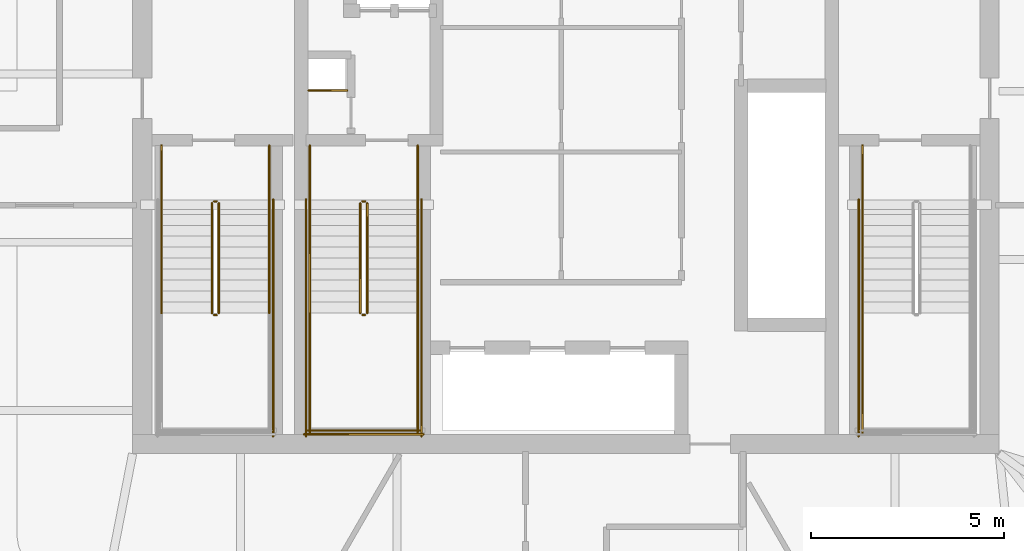
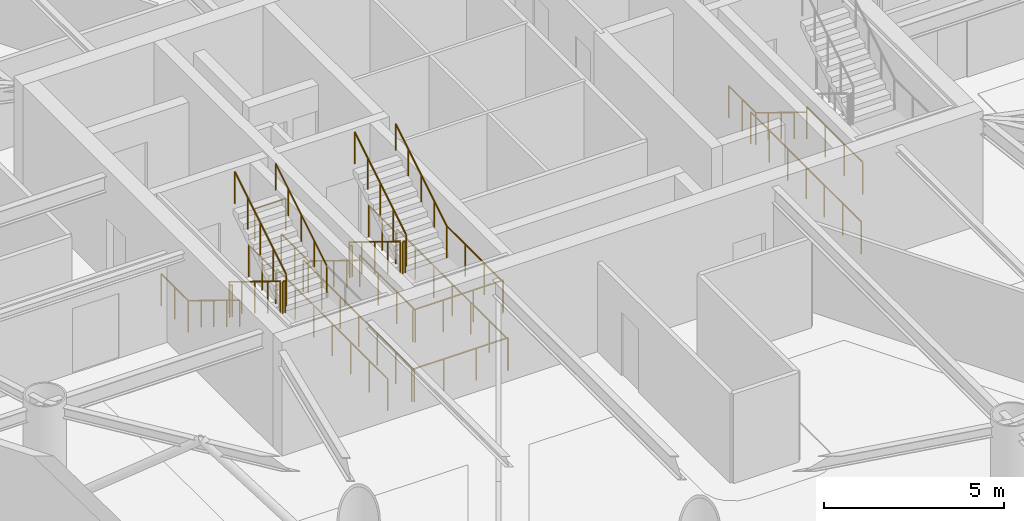
# One storey, part 18 of 20: 28 railings.
"""IFC4 building model written with IfcOpenShell, lengths in metres."""

from ifc_helpers import new_model, si_unit, direction, frame, origin, origin_2d, place, context, subcontext, project, spatial, circle, extrude, material, type_object, element, save


model = new_model("IFC4")

# Units and contexts
model_context = context("Model", 3, precision=1e-05, world=origin(), true_north=direction((0.0, 1.0)))
body_context = subcontext(model_context, "Body", "Model", "MODEL_VIEW")
ifc_project = project(units=[si_unit("LENGTHUNIT", "METRE"), si_unit("AREAUNIT", "SQUARE_METRE"), si_unit("VOLUMEUNIT", "CUBIC_METRE"), si_unit("PLANEANGLEUNIT", "RADIAN"), si_unit("MASSUNIT", "GRAM", prefix="KILO")], contexts=[model_context])

# Site, building, storey
site_placement = place(None, origin())
site = spatial("IfcSite", under=ifc_project, at=site_placement, CompositionType="ELEMENT")
building_placement = place(site_placement, origin())
building = spatial("IfcBuilding", under=site, at=building_placement, Name="Bramvorn Convention Spire", CompositionType="ELEMENT")
storey_placement = place(building_placement, frame((0.0, 0.0, 178.89990234375)))
storey = spatial("IfcBuildingStorey", under=building, at=storey_placement, Name="L45", CompositionType="ELEMENT", Elevation=178.89990234375)

# Railings
ifc_material_1 = material(Name="Painted Steel Balustrade & Guardrail", Category="steel")
railing_type_1 = type_object("IfcRailingType", Name="RL-STAIR-GUARD-1100", PredefinedType="GUARDRAIL", material=ifc_material_1)
railing_1_placement = place(storey_placement, frame((28.81005859375, 25.050048828125, 0.175048828125)))
element("IfcRailing", 1, at=railing_1_placement, inside=storey, type_object=railing_type_1, Name="L45 ST1 stair guard 1", PredefinedType="GUARDRAIL", context=body_context, shape_type="SweptSolid", body=[
    extrude(circle(Radius=0.02392578125, at=origin_2d()), frame((0.0, 0.0, 1.076171875), z_axis=(0.0, -0.852179220489, 0.52325001306), x_axis=(1.0, 0.0, 0.0)), (0.0, 0.0, 1.0), 3.344482421875),
    extrude(circle(Radius=0.02099609375, at=origin_2d()), origin(), (0.0, 0.0, 1.0), 1.052001953125),
    extrude(circle(Radius=0.02099609375, at=origin_2d()), frame((0.0, -0.71240234375, 0.4375)), (0.0, 0.0, 1.0), 1.052001953125),
    extrude(circle(Radius=0.02099609375, at=origin_2d()), frame((0.0, -1.425048828125, 0.875)), (0.0, 0.0, 1.0), 1.052001953125),
    extrude(circle(Radius=0.02099609375, at=origin_2d()), frame((0.0, -2.1376953125, 1.3125)), (0.0, 0.0, 1.0), 1.052001953125),
    extrude(circle(Radius=0.02099609375, at=origin_2d()), frame((0.0, -2.85009765625, 1.75)), (0.0, 0.0, 1.0), 1.052001953125),
])
railing_2_placement = place(storey_placement, frame((28.860107421875, 22.14990234375, 1.925048828125)))
element("IfcRailing", 2, at=railing_2_placement, inside=storey, type_object=railing_type_1, Name="L45 ST1 stair guard 2", PredefinedType="GUARDRAIL", context=body_context, shape_type="SweptSolid", body=[
    extrude(circle(Radius=0.02392578125, at=origin_2d()), frame((0.0, 0.0, 1.076171875), z_axis=(1.0, 0.0, 0.0), x_axis=(0.0, 1.0, 0.0)), (0.0, 0.0, 1.0), 0.079833984375),
    extrude(circle(Radius=0.02099609375, at=origin_2d()), origin(), (0.0, 0.0, 1.0), 1.052001953125),
    extrude(circle(Radius=0.02099609375, at=origin_2d()), frame((0.079833984375, 0.0, 0.0)), (0.0, 0.0, 1.0), 1.052001953125),
])
railing_3_placement = place(storey_placement, frame((28.989990234375, 22.199951171875, 2.10009765625)))
element("IfcRailing", 3, at=railing_3_placement, inside=storey, type_object=railing_type_1, Name="L45 ST1 stair guard 6", PredefinedType="GUARDRAIL", context=body_context, shape_type="SweptSolid", body=[
    extrude(circle(Radius=0.02392578125, at=origin_2d()), frame((0.0, 0.0, 1.076171875), z_axis=(0.0, 0.852179220489, 0.52325001306), x_axis=(-1.0, 0.0, 0.0)), (0.0, 0.0, 1.0), 3.344482421875),
    extrude(circle(Radius=0.02099609375, at=origin_2d()), origin(), (0.0, 0.0, 1.0), 1.052001953125),
    extrude(circle(Radius=0.02099609375, at=origin_2d()), frame((0.0, 0.71240234375, 0.4375)), (0.0, 0.0, 1.0), 1.052001953125),
    extrude(circle(Radius=0.02099609375, at=origin_2d()), frame((0.0, 1.425048828125, 0.875)), (0.0, 0.0, 1.0), 1.052001953125),
    extrude(circle(Radius=0.02099609375, at=origin_2d()), frame((0.0, 2.1376953125, 1.3125)), (0.0, 0.0, 1.0), 1.052001953125),
    extrude(circle(Radius=0.02099609375, at=origin_2d()), frame((0.0, 2.85009765625, 1.75)), (0.0, 0.0, 1.0), 1.052001953125),
])
railing_4_placement = place(storey_placement, frame((28.860107421875, 25.10009765625, 0.0)))
element("IfcRailing", 4, at=railing_4_placement, inside=storey, type_object=railing_type_1, Name="L45 ST1 stair guard 7", PredefinedType="GUARDRAIL", context=body_context, shape_type="SweptSolid", body=[
    extrude(circle(Radius=0.02392578125, at=origin_2d()), frame((0.0, 0.0, 1.076171875), z_axis=(1.0, 0.0, 0.0), x_axis=(0.0, 1.0, 0.0)), (0.0, 0.0, 1.0), 0.079833984375),
    extrude(circle(Radius=0.02099609375, at=origin_2d()), origin(), (0.0, 0.0, 1.0), 1.052001953125),
    extrude(circle(Radius=0.02099609375, at=origin_2d()), frame((0.079833984375, 0.0, 0.0)), (0.0, 0.0, 1.0), 1.052001953125),
])
for number, where, name in (
    (5, (27.5, 26.550048828125, 0.0), "L45 ST1 stair guard 8"),
    (6, (30.300048828125, 26.550048828125, 0.0), "L45 ST1 stair guard 9"),
):
    element("IfcRailing", number, at=place(storey_placement, frame(where)), inside=storey, type_object=railing_type_1, Name=name, PredefinedType="GUARDRAIL", context=body_context, shape_type="SweptSolid", body=[
        extrude(circle(Radius=0.02392578125, at=origin_2d()), frame((0.0, 0.0, 1.076171875), z_axis=(0.0, -1.0, 0.0), x_axis=(1.0, 0.0, 0.0)), (0.0, 0.0, 1.0), 1.5),
        extrude(circle(Radius=0.02099609375, at=origin_2d()), origin(), (0.0, 0.0, 1.0), 1.052001953125),
        extrude(circle(Radius=0.02099609375, at=origin_2d()), frame((0.0, -0.75, 0.0)), (0.0, 0.0, 1.0), 1.052001953125),
        extrude(circle(Radius=0.02099609375, at=origin_2d()), frame((0.0, -1.5, 0.0)), (0.0, 0.0, 1.0), 1.052001953125),
    ])
railing_5_placement = place(storey_placement, frame((30.39990234375, 25.14990234375, 0.0)))
element("IfcRailing", 7, at=railing_5_placement, inside=storey, type_object=railing_type_1, Name="L45 ST1 stair guard 11", PredefinedType="GUARDRAIL", context=body_context, shape_type="SweptSolid", body=[
    extrude(circle(Radius=0.02392578125, at=origin_2d()), frame((0.0, 0.0, 1.076171875), z_axis=(0.0, -1.0, 0.0), x_axis=(1.0, 0.0, 0.0)), (0.0, 0.0, 1.0), 6.14990234375),
    extrude(circle(Radius=0.02099609375, at=origin_2d()), origin(), (0.0, 0.0, 1.0), 1.052001953125),
    extrude(circle(Radius=0.02099609375, at=origin_2d()), frame((0.0, -1.02490234375, 0.0)), (0.0, 0.0, 1.0), 1.052001953125),
    extrude(circle(Radius=0.02099609375, at=origin_2d()), frame((0.0, -2.050048828125, 0.0)), (0.0, 0.0, 1.0), 1.052001953125),
    extrude(circle(Radius=0.02099609375, at=origin_2d()), frame((0.0, -3.074951171875, 0.0)), (0.0, 0.0, 1.0), 1.052001953125),
    extrude(circle(Radius=0.02099609375, at=origin_2d()), frame((0.0, -4.099853515625, 0.0)), (0.0, 0.0, 1.0), 1.052001953125),
    extrude(circle(Radius=0.02099609375, at=origin_2d()), frame((0.0, -5.125, 0.0)), (0.0, 0.0, 1.0), 1.052001953125),
    extrude(circle(Radius=0.02099609375, at=origin_2d()), frame((0.0, -6.14990234375, 0.0)), (0.0, 0.0, 1.0), 1.052001953125),
])
railing_6_placement = place(storey_placement, frame((45.699951171875, 22.199951171875, 1.925048828125)))
element("IfcRailing", 8, at=railing_6_placement, inside=storey, type_object=railing_type_1, Name="L45 ST2 stair guard 3", PredefinedType="GUARDRAIL", context=body_context, shape_type="SweptSolid", body=[
    extrude(circle(Radius=0.02392578125, at=origin_2d()), frame((0.0, 0.0, 1.076171875), z_axis=(0.0, -1.0, 0.0), x_axis=(1.0, 0.0, 0.0)), (0.0, 0.0, 1.0), 3.099853515625),
    extrude(circle(Radius=0.02099609375, at=origin_2d()), origin(), (0.0, 0.0, 1.0), 1.052001953125),
    extrude(circle(Radius=0.02099609375, at=origin_2d()), frame((0.0, -1.033203125, 0.0)), (0.0, 0.0, 1.0), 1.052001953125),
    extrude(circle(Radius=0.02099609375, at=origin_2d()), frame((0.0, -2.066650390625, 0.0)), (0.0, 0.0, 1.0), 1.052001953125),
    extrude(circle(Radius=0.02099609375, at=origin_2d()), frame((0.0, -3.099853515625, 0.0)), (0.0, 0.0, 1.0), 1.052001953125),
])
railing_7_placement = place(storey_placement, frame((45.699951171875, 26.550048828125, 0.0)))
element("IfcRailing", 9, at=railing_7_placement, inside=storey, type_object=railing_type_1, Name="L45 ST2 stair guard 8", PredefinedType="GUARDRAIL", context=body_context, shape_type="SweptSolid", body=[
    extrude(circle(Radius=0.02392578125, at=origin_2d()), frame((0.0, 0.0, 1.076171875), z_axis=(0.0, -1.0, 0.0), x_axis=(1.0, 0.0, 0.0)), (0.0, 0.0, 1.0), 1.5),
    extrude(circle(Radius=0.02099609375, at=origin_2d()), origin(), (0.0, 0.0, 1.0), 1.052001953125),
    extrude(circle(Radius=0.02099609375, at=origin_2d()), frame((0.0, -0.75, 0.0)), (0.0, 0.0, 1.0), 1.052001953125),
    extrude(circle(Radius=0.02099609375, at=origin_2d()), frame((0.0, -1.5, 0.0)), (0.0, 0.0, 1.0), 1.052001953125),
])
railing_8_placement = place(storey_placement, frame((45.60009765625, 25.14990234375, 0.0)))
element("IfcRailing", 10, at=railing_8_placement, inside=storey, type_object=railing_type_1, Name="L45 ST2 stair guard 10", PredefinedType="GUARDRAIL", context=body_context, shape_type="SweptSolid", body=[
    extrude(circle(Radius=0.02392578125, at=origin_2d()), frame((0.0, 0.0, 1.076171875), z_axis=(0.0, -1.0, 0.0), x_axis=(1.0, 0.0, 0.0)), (0.0, 0.0, 1.0), 6.14990234375),
    extrude(circle(Radius=0.02099609375, at=origin_2d()), origin(), (0.0, 0.0, 1.0), 1.052001953125),
    extrude(circle(Radius=0.02099609375, at=origin_2d()), frame((0.0, -1.02490234375, 0.0)), (0.0, 0.0, 1.0), 1.052001953125),
    extrude(circle(Radius=0.02099609375, at=origin_2d()), frame((0.0, -2.050048828125, 0.0)), (0.0, 0.0, 1.0), 1.052001953125),
    extrude(circle(Radius=0.02099609375, at=origin_2d()), frame((0.0, -3.074951171875, 0.0)), (0.0, 0.0, 1.0), 1.052001953125),
    extrude(circle(Radius=0.02099609375, at=origin_2d()), frame((0.0, -4.099853515625, 0.0)), (0.0, 0.0, 1.0), 1.052001953125),
    extrude(circle(Radius=0.02099609375, at=origin_2d()), frame((0.0, -5.125, 0.0)), (0.0, 0.0, 1.0), 1.052001953125),
    extrude(circle(Radius=0.02099609375, at=origin_2d()), frame((0.0, -6.14990234375, 0.0)), (0.0, 0.0, 1.0), 1.052001953125),
])
railing_9_placement = place(storey_placement, frame((32.659912109375, 25.050048828125, 0.175048828125)))
element("IfcRailing", 11, at=railing_9_placement, inside=storey, type_object=railing_type_1, Name="L45 ST3 stair guard 1", PredefinedType="GUARDRAIL", context=body_context, shape_type="SweptSolid", body=[
    extrude(circle(Radius=0.02392578125, at=origin_2d()), frame((0.0, 0.0, 1.076171875), z_axis=(0.0, -0.852179220489, 0.52325001306), x_axis=(1.0, 0.0, 0.0)), (0.0, 0.0, 1.0), 3.344482421875),
    extrude(circle(Radius=0.02099609375, at=origin_2d()), origin(), (0.0, 0.0, 1.0), 1.052001953125),
    extrude(circle(Radius=0.02099609375, at=origin_2d()), frame((0.0, -0.71240234375, 0.4375)), (0.0, 0.0, 1.0), 1.052001953125),
    extrude(circle(Radius=0.02099609375, at=origin_2d()), frame((0.0, -1.425048828125, 0.875)), (0.0, 0.0, 1.0), 1.052001953125),
    extrude(circle(Radius=0.02099609375, at=origin_2d()), frame((0.0, -2.1376953125, 1.3125)), (0.0, 0.0, 1.0), 1.052001953125),
    extrude(circle(Radius=0.02099609375, at=origin_2d()), frame((0.0, -2.85009765625, 1.75)), (0.0, 0.0, 1.0), 1.052001953125),
])
railing_10_placement = place(storey_placement, frame((32.7099609375, 22.14990234375, 1.925048828125)))
element("IfcRailing", 12, at=railing_10_placement, inside=storey, type_object=railing_type_1, Name="L45 ST3 stair guard 2", PredefinedType="GUARDRAIL", context=body_context, shape_type="SweptSolid", body=[
    extrude(circle(Radius=0.02392578125, at=origin_2d()), frame((0.0, 0.0, 1.076171875), z_axis=(1.0, 0.0, 0.0), x_axis=(0.0, 1.0, 0.0)), (0.0, 0.0, 1.0), 0.080078125),
    extrude(circle(Radius=0.02099609375, at=origin_2d()), origin(), (0.0, 0.0, 1.0), 1.052001953125),
    extrude(circle(Radius=0.02099609375, at=origin_2d()), frame((0.080078125, 0.0, 0.0)), (0.0, 0.0, 1.0), 1.052001953125),
])
for number, where, name in (
    (13, (31.35009765625, 22.199951171875, 1.925048828125), "L45 ST3 stair guard 3"),
    (14, (34.14990234375, 22.199951171875, 1.925048828125), "L45 ST3 stair guard 4"),
):
    element("IfcRailing", number, at=place(storey_placement, frame(where)), inside=storey, type_object=railing_type_1, Name=name, PredefinedType="GUARDRAIL", context=body_context, shape_type="SweptSolid", body=[
        extrude(circle(Radius=0.02392578125, at=origin_2d()), frame((0.0, 0.0, 1.076171875), z_axis=(0.0, -1.0, 0.0), x_axis=(1.0, 0.0, 0.0)), (0.0, 0.0, 1.0), 3.099853515625),
        extrude(circle(Radius=0.02099609375, at=origin_2d()), origin(), (0.0, 0.0, 1.0), 1.052001953125),
        extrude(circle(Radius=0.02099609375, at=origin_2d()), frame((0.0, -1.033203125, 0.0)), (0.0, 0.0, 1.0), 1.052001953125),
        extrude(circle(Radius=0.02099609375, at=origin_2d()), frame((0.0, -2.066650390625, 0.0)), (0.0, 0.0, 1.0), 1.052001953125),
        extrude(circle(Radius=0.02099609375, at=origin_2d()), frame((0.0, -3.099853515625, 0.0)), (0.0, 0.0, 1.0), 1.052001953125),
    ])
railing_11_placement = place(storey_placement, frame((31.300048828125, 19.14990234375, 1.925048828125)))
element("IfcRailing", 15, at=railing_11_placement, inside=storey, type_object=railing_type_1, Name="L45 ST3 stair guard 5", PredefinedType="GUARDRAIL", context=body_context, shape_type="SweptSolid", body=[
    extrude(circle(Radius=0.02392578125, at=origin_2d()), frame((0.0, 0.0, 1.076171875), z_axis=(1.0, 0.0, 0.0), x_axis=(0.0, 1.0, 0.0)), (0.0, 0.0, 1.0), 2.89990234375),
    extrude(circle(Radius=0.02099609375, at=origin_2d()), origin(), (0.0, 0.0, 1.0), 1.052001953125),
    extrude(circle(Radius=0.02099609375, at=origin_2d()), frame((0.966552734375, 0.0, 0.0)), (0.0, 0.0, 1.0), 1.052001953125),
    extrude(circle(Radius=0.02099609375, at=origin_2d()), frame((1.933349609375, 0.0, 0.0)), (0.0, 0.0, 1.0), 1.052001953125),
    extrude(circle(Radius=0.02099609375, at=origin_2d()), frame((2.89990234375, 0.0, 0.0)), (0.0, 0.0, 1.0), 1.052001953125),
])
railing_12_placement = place(storey_placement, frame((32.840087890625, 22.199951171875, 2.10009765625)))
element("IfcRailing", 16, at=railing_12_placement, inside=storey, type_object=railing_type_1, Name="L45 ST3 stair guard 6", PredefinedType="GUARDRAIL", context=body_context, shape_type="SweptSolid", body=[
    extrude(circle(Radius=0.02392578125, at=origin_2d()), frame((0.0, 0.0, 1.076171875), z_axis=(0.0, 0.852179220489, 0.52325001306), x_axis=(-1.0, 0.0, 0.0)), (0.0, 0.0, 1.0), 3.344482421875),
    extrude(circle(Radius=0.02099609375, at=origin_2d()), origin(), (0.0, 0.0, 1.0), 1.052001953125),
    extrude(circle(Radius=0.02099609375, at=origin_2d()), frame((0.0, 0.71240234375, 0.4375)), (0.0, 0.0, 1.0), 1.052001953125),
    extrude(circle(Radius=0.02099609375, at=origin_2d()), frame((0.0, 1.425048828125, 0.875)), (0.0, 0.0, 1.0), 1.052001953125),
    extrude(circle(Radius=0.02099609375, at=origin_2d()), frame((0.0, 2.1376953125, 1.3125)), (0.0, 0.0, 1.0), 1.052001953125),
    extrude(circle(Radius=0.02099609375, at=origin_2d()), frame((0.0, 2.85009765625, 1.75)), (0.0, 0.0, 1.0), 1.052001953125),
])
railing_13_placement = place(storey_placement, frame((32.7099609375, 25.10009765625, 0.0)))
element("IfcRailing", 17, at=railing_13_placement, inside=storey, type_object=railing_type_1, Name="L45 ST3 stair guard 7", PredefinedType="GUARDRAIL", context=body_context, shape_type="SweptSolid", body=[
    extrude(circle(Radius=0.02392578125, at=origin_2d()), frame((0.0, 0.0, 1.076171875), z_axis=(1.0, 0.0, 0.0), x_axis=(0.0, 1.0, 0.0)), (0.0, 0.0, 1.0), 0.080078125),
    extrude(circle(Radius=0.02099609375, at=origin_2d()), origin(), (0.0, 0.0, 1.0), 1.052001953125),
    extrude(circle(Radius=0.02099609375, at=origin_2d()), frame((0.080078125, 0.0, 0.0)), (0.0, 0.0, 1.0), 1.052001953125),
])
for number, where, name in (
    (18, (31.35009765625, 26.550048828125, 0.0), "L45 ST3 stair guard 8"),
    (19, (34.14990234375, 26.550048828125, 0.0), "L45 ST3 stair guard 9"),
):
    element("IfcRailing", number, at=place(storey_placement, frame(where)), inside=storey, type_object=railing_type_1, Name=name, PredefinedType="GUARDRAIL", context=body_context, shape_type="SweptSolid", body=[
        extrude(circle(Radius=0.02392578125, at=origin_2d()), frame((0.0, 0.0, 1.076171875), z_axis=(0.0, -1.0, 0.0), x_axis=(1.0, 0.0, 0.0)), (0.0, 0.0, 1.0), 1.5),
        extrude(circle(Radius=0.02099609375, at=origin_2d()), origin(), (0.0, 0.0, 1.0), 1.052001953125),
        extrude(circle(Radius=0.02099609375, at=origin_2d()), frame((0.0, -0.75, 0.0)), (0.0, 0.0, 1.0), 1.052001953125),
        extrude(circle(Radius=0.02099609375, at=origin_2d()), frame((0.0, -1.5, 0.0)), (0.0, 0.0, 1.0), 1.052001953125),
    ])
for number, where, name in (
    (20, (31.25, 25.14990234375, 0.0), "L45 ST3 stair guard 10"),
    (21, (34.25, 25.14990234375, 0.0), "L45 ST3 stair guard 11"),
):
    element("IfcRailing", number, at=place(storey_placement, frame(where)), inside=storey, type_object=railing_type_1, Name=name, PredefinedType="GUARDRAIL", context=body_context, shape_type="SweptSolid", body=[
        extrude(circle(Radius=0.02392578125, at=origin_2d()), frame((0.0, 0.0, 1.076171875), z_axis=(0.0, -1.0, 0.0), x_axis=(1.0, 0.0, 0.0)), (0.0, 0.0, 1.0), 6.14990234375),
        extrude(circle(Radius=0.02099609375, at=origin_2d()), origin(), (0.0, 0.0, 1.0), 1.052001953125),
        extrude(circle(Radius=0.02099609375, at=origin_2d()), frame((0.0, -1.02490234375, 0.0)), (0.0, 0.0, 1.0), 1.052001953125),
        extrude(circle(Radius=0.02099609375, at=origin_2d()), frame((0.0, -2.050048828125, 0.0)), (0.0, 0.0, 1.0), 1.052001953125),
        extrude(circle(Radius=0.02099609375, at=origin_2d()), frame((0.0, -3.074951171875, 0.0)), (0.0, 0.0, 1.0), 1.052001953125),
        extrude(circle(Radius=0.02099609375, at=origin_2d()), frame((0.0, -4.099853515625, 0.0)), (0.0, 0.0, 1.0), 1.052001953125),
        extrude(circle(Radius=0.02099609375, at=origin_2d()), frame((0.0, -5.125, 0.0)), (0.0, 0.0, 1.0), 1.052001953125),
        extrude(circle(Radius=0.02099609375, at=origin_2d()), frame((0.0, -6.14990234375, 0.0)), (0.0, 0.0, 1.0), 1.052001953125),
    ])
railing_14_placement = place(storey_placement, frame((31.199951171875, 19.050048828125, 0.0)))
element("IfcRailing", 22, at=railing_14_placement, inside=storey, type_object=railing_type_1, Name="L45 ST3 stair guard 12", PredefinedType="GUARDRAIL", context=body_context, shape_type="SweptSolid", body=[
    extrude(circle(Radius=0.02392578125, at=origin_2d()), frame((0.0, 0.0, 1.076171875), z_axis=(1.0, 0.0, 0.0), x_axis=(0.0, 1.0, 0.0)), (0.0, 0.0, 1.0), 3.10009765625),
    extrude(circle(Radius=0.02099609375, at=origin_2d()), origin(), (0.0, 0.0, 1.0), 1.052001953125),
    extrude(circle(Radius=0.02099609375, at=origin_2d()), frame((1.033447265625, 0.0, 0.0)), (0.0, 0.0, 1.0), 1.052001953125),
    extrude(circle(Radius=0.02099609375, at=origin_2d()), frame((2.066650390625, 0.0, 0.0)), (0.0, 0.0, 1.0), 1.052001953125),
    extrude(circle(Radius=0.02099609375, at=origin_2d()), frame((3.10009765625, 0.0, 0.0)), (0.0, 0.0, 1.0), 1.052001953125),
])
railing_15_placement = place(storey_placement, frame((31.320068359375, 27.97998046875, 0.0)))
element("IfcRailing", 23, at=railing_15_placement, inside=storey, type_object=railing_type_1, Name="L45 Telecom riser shaft opening safety guardrail", PredefinedType="GUARDRAIL", context=body_context, shape_type="SweptSolid", body=[
    extrude(circle(Radius=0.02392578125, at=origin_2d()), frame((0.0, 0.0, 1.076171875), z_axis=(1.0, 0.0, 0.0), x_axis=(0.0, 1.0, 0.0)), (0.0, 0.0, 1.0), 1.0),
    extrude(circle(Radius=0.02099609375, at=origin_2d()), origin(), (0.0, 0.0, 1.0), 1.052001953125),
    extrude(circle(Radius=0.02099609375, at=origin_2d()), frame((1.0, 0.0, 0.0)), (0.0, 0.0, 1.0), 1.052001953125),
])
ifc_material_2 = material(Name="Brushed Bronze Tubular Handrail", Category="aluminium")
railing_type_2 = type_object("IfcRailingType", Name="RL-STAIR-HR-920", PredefinedType="HANDRAIL", material=ifc_material_2)
railing_16_placement = place(storey_placement, frame((27.5, 25.050048828125, 0.175048828125)))
element("IfcRailing", 24, at=railing_16_placement, inside=storey, type_object=railing_type_2, Name="L45 ST1 stair handrail 1", PredefinedType="HANDRAIL", context=body_context, shape_type="SweptSolid", body=[
    extrude(circle(Radius=0.02392578125, at=origin_2d()), frame((0.0, 0.0, 0.89599609375), z_axis=(0.0, -0.852179220489, 0.52325001306), x_axis=(1.0, 0.0, 0.0)), (0.0, 0.0, 1.0), 3.344482421875),
    extrude(circle(Radius=0.02099609375, at=origin_2d()), origin(), (0.0, 0.0, 1.0), 0.871826171875),
    extrude(circle(Radius=0.02099609375, at=origin_2d()), frame((0.0, -0.71240234375, 0.4375)), (0.0, 0.0, 1.0), 0.871826171875),
    extrude(circle(Radius=0.02099609375, at=origin_2d()), frame((0.0, -1.425048828125, 0.875)), (0.0, 0.0, 1.0), 0.871826171875),
    extrude(circle(Radius=0.02099609375, at=origin_2d()), frame((0.0, -2.1376953125, 1.3125)), (0.0, 0.0, 1.0), 0.871826171875),
    extrude(circle(Radius=0.02099609375, at=origin_2d()), frame((0.0, -2.85009765625, 1.75)), (0.0, 0.0, 1.0), 0.871826171875),
])
railing_17_placement = place(storey_placement, frame((30.300048828125, 22.199951171875, 2.10009765625)))
element("IfcRailing", 25, at=railing_17_placement, inside=storey, type_object=railing_type_2, Name="L45 ST1 stair handrail 2", PredefinedType="HANDRAIL", context=body_context, shape_type="SweptSolid", body=[
    extrude(circle(Radius=0.02392578125, at=origin_2d()), frame((0.0, 0.0, 0.89599609375), z_axis=(0.0, 0.852179220489, 0.52325001306), x_axis=(-1.0, 0.0, 0.0)), (0.0, 0.0, 1.0), 3.344482421875),
    extrude(circle(Radius=0.02099609375, at=origin_2d()), origin(), (0.0, 0.0, 1.0), 0.871826171875),
    extrude(circle(Radius=0.02099609375, at=origin_2d()), frame((0.0, 0.71240234375, 0.4375)), (0.0, 0.0, 1.0), 0.871826171875),
    extrude(circle(Radius=0.02099609375, at=origin_2d()), frame((0.0, 1.425048828125, 0.875)), (0.0, 0.0, 1.0), 0.871826171875),
    extrude(circle(Radius=0.02099609375, at=origin_2d()), frame((0.0, 2.1376953125, 1.3125)), (0.0, 0.0, 1.0), 0.871826171875),
    extrude(circle(Radius=0.02099609375, at=origin_2d()), frame((0.0, 2.85009765625, 1.75)), (0.0, 0.0, 1.0), 0.871826171875),
])
for number, where, name in (
    (26, (45.699951171875, 25.050048828125, 0.175048828125), "L45 ST2 stair handrail 1"),
    (27, (31.35009765625, 25.050048828125, 0.175048828125), "L45 ST3 stair handrail 1"),
):
    element("IfcRailing", number, at=place(storey_placement, frame(where)), inside=storey, type_object=railing_type_2, Name=name, PredefinedType="HANDRAIL", context=body_context, shape_type="SweptSolid", body=[
        extrude(circle(Radius=0.02392578125, at=origin_2d()), frame((0.0, 0.0, 0.89599609375), z_axis=(0.0, -0.852179220489, 0.52325001306), x_axis=(1.0, 0.0, 0.0)), (0.0, 0.0, 1.0), 3.344482421875),
        extrude(circle(Radius=0.02099609375, at=origin_2d()), origin(), (0.0, 0.0, 1.0), 0.871826171875),
        extrude(circle(Radius=0.02099609375, at=origin_2d()), frame((0.0, -0.71240234375, 0.4375)), (0.0, 0.0, 1.0), 0.871826171875),
        extrude(circle(Radius=0.02099609375, at=origin_2d()), frame((0.0, -1.425048828125, 0.875)), (0.0, 0.0, 1.0), 0.871826171875),
        extrude(circle(Radius=0.02099609375, at=origin_2d()), frame((0.0, -2.1376953125, 1.3125)), (0.0, 0.0, 1.0), 0.871826171875),
        extrude(circle(Radius=0.02099609375, at=origin_2d()), frame((0.0, -2.85009765625, 1.75)), (0.0, 0.0, 1.0), 0.871826171875),
    ])
railing_18_placement = place(storey_placement, frame((34.14990234375, 22.199951171875, 2.10009765625)))
element("IfcRailing", 28, at=railing_18_placement, inside=storey, type_object=railing_type_2, Name="L45 ST3 stair handrail 2", PredefinedType="HANDRAIL", context=body_context, shape_type="SweptSolid", body=[
    extrude(circle(Radius=0.02392578125, at=origin_2d()), frame((0.0, 0.0, 0.89599609375), z_axis=(0.0, 0.852179220489, 0.52325001306), x_axis=(-1.0, 0.0, 0.0)), (0.0, 0.0, 1.0), 3.344482421875),
    extrude(circle(Radius=0.02099609375, at=origin_2d()), origin(), (0.0, 0.0, 1.0), 0.871826171875),
    extrude(circle(Radius=0.02099609375, at=origin_2d()), frame((0.0, 0.71240234375, 0.4375)), (0.0, 0.0, 1.0), 0.871826171875),
    extrude(circle(Radius=0.02099609375, at=origin_2d()), frame((0.0, 1.425048828125, 0.875)), (0.0, 0.0, 1.0), 0.871826171875),
    extrude(circle(Radius=0.02099609375, at=origin_2d()), frame((0.0, 2.1376953125, 1.3125)), (0.0, 0.0, 1.0), 0.871826171875),
    extrude(circle(Radius=0.02099609375, at=origin_2d()), frame((0.0, 2.85009765625, 1.75)), (0.0, 0.0, 1.0), 0.871826171875),
])

save(model, "model.ifc")
